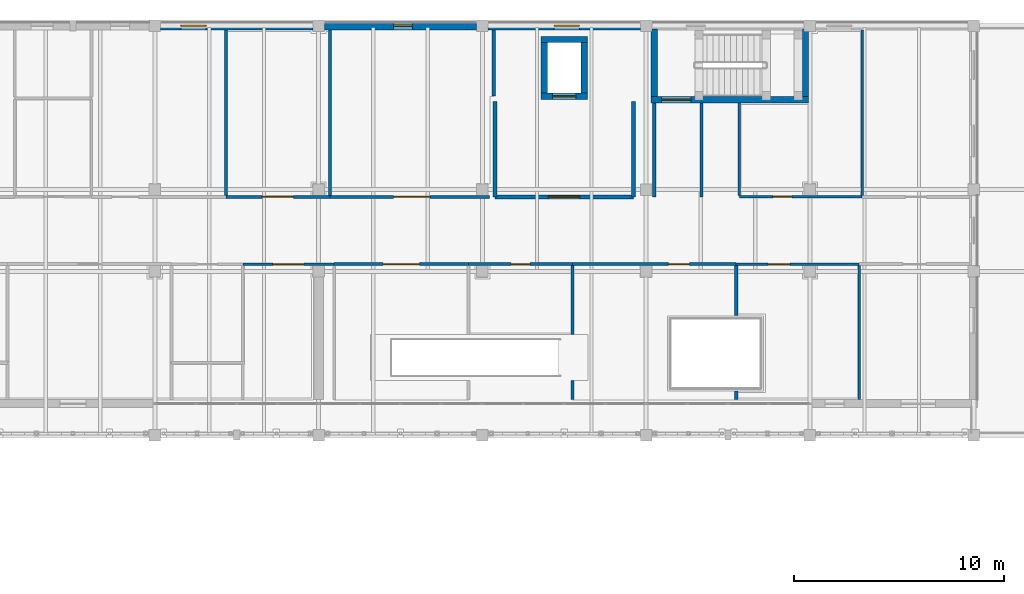
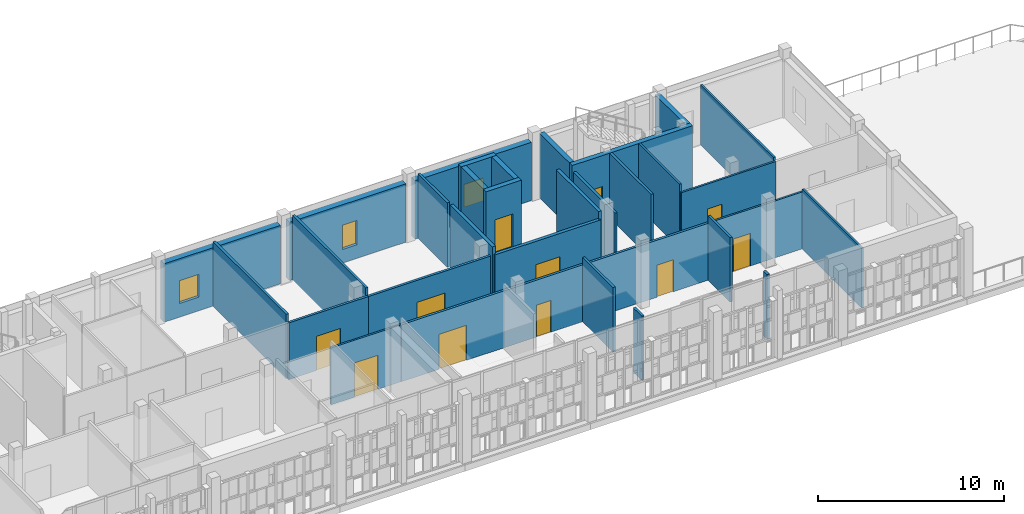
# One storey, part 99 of 119: 33 walls, 11 doors, 3 windows, 14 openings.
"""IFC4 building model written with IfcOpenShell, lengths in metres."""

from ifc_helpers import new_model, si_unit, direction, frame, frame_2d, origin, place, context, subcontext, project, spatial, rectangle, extrude, material, layer, layer_set, type_object, element, fill, save


model = new_model("IFC4")

# Units and contexts
model_context = context("Model", 3, precision=1e-05, world=origin(), true_north=direction((0.0, 1.0)))
body_context = subcontext(model_context, "Body", "Model", "MODEL_VIEW")
ifc_project = project(units=[si_unit("LENGTHUNIT", "METRE"), si_unit("AREAUNIT", "SQUARE_METRE"), si_unit("VOLUMEUNIT", "CUBIC_METRE"), si_unit("PLANEANGLEUNIT", "RADIAN"), si_unit("MASSUNIT", "GRAM", prefix="KILO")], contexts=[model_context])

# Site, building, storey
site_placement = place(None, origin())
site = spatial("IfcSite", under=ifc_project, at=site_placement, CompositionType="ELEMENT")
building_placement = place(site_placement, origin())
building = spatial("IfcBuilding", under=site, at=building_placement, Name="Celorna Specialist Clinic", CompositionType="ELEMENT")
storey_placement = place(building_placement, frame((0.0, 0.0, 9.60009765625)))
storey = spatial("IfcBuildingStorey", under=building, at=storey_placement, Name="L02", CompositionType="ELEMENT", Elevation=9.60009765625)

# Wall, opening, window
ifc_material_1 = material(Name="Terracotta masonry with insulated cavity", Category="masonry")
ifc_layer_1 = layer(ifc_material_1, 0.3798828125, Name="Terracotta masonry with insulated cavity")
ifc_layer_set_1 = layer_set([ifc_layer_1], Name="Terracotta masonry with insulated cavity")
wall_type_1 = type_object("IfcWallType", Name="WT-06", PredefinedType="STANDARD", material=ifc_layer_set_1)
wall_1_placement = place(storey_placement, frame((93.875, 116.0, 0.0), z_axis=(0.0, 0.0, 1.0), x_axis=(1.0, 0.0, 0.0)))
wall_1 = element("IfcWall", 1, at=wall_1_placement, inside=storey, type_object=wall_type_1, Name="External facade wall WT-06 #243", PredefinedType="STANDARD", context=body_context, shape_type="SweptSolid", body=[
    extrude(rectangle(XDim=7.25, YDim=0.3798828125, at=frame_2d((3.625, 0.0))), origin(), (0.0, 0.0, 1.0), 3.83984375),
])
opening_1_placement = place(wall_1_placement, frame((0.967529296875, 0.0, 0.89990234375)))
opening_1 = element("IfcOpeningElement", 2, at=opening_1_placement, cuts=wall_1, Name="Opening WN-04", PredefinedType="OPENING", context=body_context, shape_type="SweptSolid", body=[
    extrude(rectangle(XDim=1.199951171875, YDim=1.5, at=frame_2d((0.60009765625, 0.75))), frame((0.0, 0.199951171875, 0.0), z_axis=(0.0, -1.0, 0.0), x_axis=(1.0, 0.0, 0.0)), (0.0, 0.0, 1.0), 0.39990234375),
])
ifc_material_2 = material(Name="Thermally broken aluminium triple-glazed window", Category="aluminium")
window_type_1 = type_object("IfcWindowType", Name="WN-04", PartitioningType="SINGLE_PANEL", PredefinedType="WINDOW", material=ifc_material_2)
window_1_placement = place(opening_1_placement, origin())
window_1 = element("IfcWindow", 3, at=window_1_placement, inside=storey, type_object=window_type_1, Name="Facade window WN-04 #122", OverallHeight=1.5, OverallWidth=1.199951171875, PartitioningType="SINGLE_PANEL", PredefinedType="WINDOW", context=body_context, shape_type="SweptSolid", body=[
    extrude(rectangle(XDim=1.199951171875, YDim=1.5, at=frame_2d((0.60009765625, 0.75))), frame((0.0, 0.030029296875, 0.0), z_axis=(0.0, -1.0, 0.0), x_axis=(1.0, 0.0, 0.0)), (0.0, 0.0, 1.0), 0.06005859375),
])
fill(opening_1, window_1)

wall_2_placement = place(storey_placement, frame((101.675048828125, 116.0, 0.0), z_axis=(0.0, 0.0, 1.0), x_axis=(1.0, 0.0, 0.0)))
wall_2 = element("IfcWall", 4, at=wall_2_placement, inside=storey, type_object=wall_type_1, Name="External facade wall WT-06 #244", PredefinedType="STANDARD", context=body_context, shape_type="SweptSolid", body=[
    extrude(rectangle(XDim=7.25, YDim=0.3798828125, at=frame_2d((3.625, 0.0))), origin(), (0.0, 0.0, 1.0), 3.83984375),
])
opening_2_placement = place(wall_2_placement, frame((3.297607421875, 0.0, 0.89990234375)))
opening_2 = element("IfcOpeningElement", 5, at=opening_2_placement, cuts=wall_2, Name="Opening WN-01", PredefinedType="OPENING", context=body_context, shape_type="SweptSolid", body=[
    extrude(rectangle(XDim=0.89990234375, YDim=1.60009765625, at=frame_2d((0.449951171875, 0.800048828125))), frame((0.0, 0.199951171875, 0.0), z_axis=(0.0, -1.0, 0.0), x_axis=(1.0, 0.0, 0.0)), (0.0, 0.0, 1.0), 0.39990234375),
])
window_type_2 = type_object("IfcWindowType", Name="WN-01", PartitioningType="SINGLE_PANEL", PredefinedType="WINDOW", material=ifc_material_2)
window_2_placement = place(opening_2_placement, origin())
window_2 = element("IfcWindow", 6, at=window_2_placement, inside=storey, type_object=window_type_2, Name="Facade window WN-01 #123", OverallHeight=1.60009765625, OverallWidth=0.89990234375, PartitioningType="SINGLE_PANEL", PredefinedType="WINDOW", context=body_context, shape_type="SweptSolid", body=[
    extrude(rectangle(XDim=0.89990234375, YDim=1.60009765625, at=frame_2d((0.449951171875, 0.800048828125))), frame((0.0, 0.030029296875, 0.0), z_axis=(0.0, -1.0, 0.0), x_axis=(1.0, 0.0, 0.0)), (0.0, 0.0, 1.0), 0.06005859375),
])
fill(opening_2, window_2)

wall_3_placement = place(storey_placement, frame((109.47509765625, 116.0, 0.0), z_axis=(0.0, 0.0, 1.0), x_axis=(1.0, 0.0, 0.0)))
wall_3 = element("IfcWall", 7, at=wall_3_placement, inside=storey, type_object=wall_type_1, Name="External facade wall WT-06 #245", PredefinedType="STANDARD", context=body_context, shape_type="SweptSolid", body=[
    extrude(rectangle(XDim=7.25, YDim=0.3798828125, at=frame_2d((3.625, 0.0))), origin(), (0.0, 0.0, 1.0), 3.83984375),
])
opening_3_placement = place(wall_3_placement, frame((3.1474609375, 0.0, 0.89990234375)))
opening_3 = element("IfcOpeningElement", 8, at=opening_3_placement, cuts=wall_3, Name="Opening WN-04", PredefinedType="OPENING", context=body_context, shape_type="SweptSolid", body=[
    extrude(rectangle(XDim=1.199951171875, YDim=1.5, at=frame_2d((0.60009765625, 0.75))), frame((0.0, 0.199951171875, 0.0), z_axis=(0.0, -1.0, 0.0), x_axis=(1.0, 0.0, 0.0)), (0.0, 0.0, 1.0), 0.39990234375),
])
window_3_placement = place(opening_3_placement, origin())
window_3 = element("IfcWindow", 9, at=window_3_placement, inside=storey, type_object=window_type_1, Name="Facade window WN-04 #124", OverallHeight=1.5, OverallWidth=1.199951171875, PartitioningType="SINGLE_PANEL", PredefinedType="WINDOW", context=body_context, shape_type="SweptSolid", body=[
    extrude(rectangle(XDim=1.199951171875, YDim=1.5, at=frame_2d((0.60009765625, 0.75))), frame((0.0, 0.030029296875, 0.0), z_axis=(0.0, -1.0, 0.0), x_axis=(1.0, 0.0, 0.0)), (0.0, 0.0, 1.0), 0.06005859375),
])
fill(opening_3, window_3)

# Wall, opening, door
ifc_material_3 = material(Name="Concrete C35/45", Category="concrete")
ifc_layer_2 = layer(ifc_material_3, 0.300048828125, Name="Concrete C35/45")
ifc_layer_set_2 = layer_set([ifc_layer_2], Name="Concrete C35/45")
wall_type_2 = type_object("IfcWallType", Name="WT-08", PredefinedType="SHEAR", material=ifc_layer_set_2)
wall_4_placement = place(storey_placement, frame((117.239990234375, 112.469970703125, 0.0), z_axis=(0.0, 0.0, 1.0), x_axis=(1.0, 0.0, 0.0)))
wall_4 = element("IfcWall", 10, at=wall_4_placement, inside=storey, type_object=wall_type_2, Name="Stair ST-03 RC core wall L02 south", PredefinedType="SHEAR", context=body_context, shape_type="SweptSolid", body=[
    extrude(rectangle(XDim=7.5, YDim=0.300048828125, at=frame_2d((3.75, 0.0))), origin(), (0.0, 0.0, 1.0), 4.239990234375),
])
opening_4_placement = place(wall_4_placement, frame((0.5, 0.0, 0.0)))
opening_4 = element("IfcOpeningElement", 11, at=opening_4_placement, cuts=wall_4, Name="Opening DR-10", PredefinedType="OPENING", context=body_context, shape_type="SweptSolid", body=[
    extrude(rectangle(XDim=1.39990234375, YDim=2.199951171875, at=frame_2d((0.699951171875, 1.10009765625))), frame((0.0, 0.159912109375, 0.0), z_axis=(0.0, -1.0, 0.0), x_axis=(1.0, 0.0, 0.0)), (0.0, 0.0, 1.0), 0.320068359375),
])
ifc_material_4 = material(Name="Protected exit stair fire door")
door_type_1 = type_object("IfcDoorType", Name="DR-10", OperationType="NOTDEFINED", PredefinedType="DOOR", material=ifc_material_4)
door_1_placement = place(opening_4_placement, origin())
door_1 = element("IfcDoor", 12, at=door_1_placement, inside=storey, type_object=door_type_1, Name="Protected exit stair door ST-03 L02", OperationType="SINGLE_SWING_RIGHT", OverallHeight=2.199951171875, OverallWidth=1.39990234375, PredefinedType="DOOR", context=body_context, shape_type="SweptSolid", body=[
    extrude(rectangle(XDim=1.39990234375, YDim=2.199951171875, at=frame_2d((0.699951171875, 1.10009765625))), frame((0.0, 0.02490234375, 0.0), z_axis=(0.0, -1.0, 0.0), x_axis=(1.0, 0.0, 0.0)), (0.0, 0.0, 1.0), 0.050048828125),
])
fill(opening_4, door_1)

# Walls
for number, where, z_axis, x_axis, name in (
    (13, (117.389892578125, 115.85009765625, 0.0), (0.0, 0.0, 1.0), (0.0, -1.0, 0.0), "Stair ST-03 RC core wall L02 west"),
    (14, (124.590087890625, 112.6201171875, 0.0), (0.0, 0.0, 1.0), (0.0, 1.0, 0.0), "Stair ST-03 RC core wall L02 east"),
):
    element("IfcWall", number, at=place(storey_placement, frame(where, z_axis=z_axis, x_axis=x_axis)), inside=storey, type_object=wall_type_2, Name=name, PredefinedType="SHEAR", context=body_context, shape_type="SweptSolid", body=[
        extrude(rectangle(XDim=3.22998046875, YDim=0.300048828125, at=frame_2d((1.614990234375, 0.0))), origin(), (0.0, 0.0, 1.0), 4.239990234375),
    ])

# Wall, opening, door
wall_5_placement = place(storey_placement, frame((112.0, 112.64990234375, 0.0), z_axis=(0.0, 0.0, 1.0), x_axis=(1.0, 0.0, 0.0)))
wall_5 = element("IfcWall", 15, at=wall_5_placement, inside=storey, type_object=wall_type_2, Name="Lift LF-03 RC shaft wall L02", PredefinedType="SHEAR", context=body_context, shape_type="SweptSolid", body=[
    extrude(rectangle(XDim=2.199951171875, YDim=0.300048828125, at=frame_2d((1.10009765625, 0.0))), origin(), (0.0, 0.0, 1.0), 4.239990234375),
])
opening_5_placement = place(wall_5_placement, frame((0.550048828125, 0.0, 0.0)))
opening_5 = element("IfcOpeningElement", 16, at=opening_5_placement, cuts=wall_5, Name="Opening LD-01", PredefinedType="OPENING", context=body_context, shape_type="SweptSolid", body=[
    extrude(rectangle(XDim=1.10009765625, YDim=2.199951171875, at=frame_2d((0.550048828125, 1.10009765625))), frame((0.0, 0.159912109375, 0.0), z_axis=(0.0, -1.0, 0.0), x_axis=(1.0, 0.0, 0.0)), (0.0, 0.0, 1.0), 0.320068359375),
])
ifc_material_5 = material(Name="Stainless steel lift landing sliding door", Category="steel")
door_type_2 = type_object("IfcDoorType", Name="LD-01", OperationType="DOUBLE_DOOR_SLIDING", PredefinedType="DOOR", material=ifc_material_5)
door_2_placement = place(opening_5_placement, origin())
door_2 = element("IfcDoor", 17, at=door_2_placement, inside=storey, type_object=door_type_2, Name="Lift LF-03 sliding landing door L02", OperationType="DOUBLE_DOOR_SLIDING", OverallHeight=2.199951171875, OverallWidth=1.10009765625, PredefinedType="DOOR", context=body_context, shape_type="SweptSolid", body=[
    extrude(rectangle(XDim=1.10009765625, YDim=2.199951171875, at=frame_2d((0.550048828125, 1.10009765625))), frame((0.0, 0.02490234375, 0.0), z_axis=(0.0, -1.0, 0.0), x_axis=(1.0, 0.0, 0.0)), (0.0, 0.0, 1.0), 0.050048828125),
])
fill(opening_5, door_2)

# Walls
wall_6_placement = place(storey_placement, frame((114.199951171875, 115.35009765625, 0.0), z_axis=(0.0, 0.0, 1.0), x_axis=(-1.0, 0.0, 0.0)))
element("IfcWall", 18, at=wall_6_placement, inside=storey, type_object=wall_type_2, Name="Lift LF-03 RC shaft wall L02", PredefinedType="SHEAR", context=body_context, shape_type="SweptSolid", body=[
    extrude(rectangle(XDim=2.199951171875, YDim=0.300048828125, at=frame_2d((1.10009765625, 0.0))), origin(), (0.0, 0.0, 1.0), 4.239990234375),
])
for number, where, z_axis, x_axis, name in (
    (19, (112.14990234375, 115.199951171875, 0.0), (0.0, 0.0, 1.0), (0.0, -1.0, 0.0), "Lift LF-03 RC shaft wall L02"),
    (20, (114.050048828125, 112.800048828125, 0.0), (0.0, 0.0, 1.0), (0.0, 1.0, 0.0), "Lift LF-03 RC shaft wall L02"),
):
    element("IfcWall", number, at=place(storey_placement, frame(where, z_axis=z_axis, x_axis=x_axis)), inside=storey, type_object=wall_type_2, Name=name, PredefinedType="SHEAR", context=body_context, shape_type="SweptSolid", body=[
        extrude(rectangle(XDim=2.39990234375, YDim=0.300048828125, at=frame_2d((1.199951171875, 0.0))), origin(), (0.0, 0.0, 1.0), 4.239990234375),
    ])

# Wall, opening, door
ifc_layer_3 = layer(ifc_material_3, 0.199951171875, Name="Concrete C35/45")
ifc_layer_set_3 = layer_set([ifc_layer_3], Name="Concrete C35/45")
wall_type_3 = type_object("IfcWallType", Name="WT-12", PredefinedType="SOLIDWALL", material=ifc_layer_set_3)
wall_7_placement = place(storey_placement, frame((109.800048828125, 107.85009765625, 0.0), z_axis=(0.0, 0.0, 1.0), x_axis=(1.0, 0.0, 0.0)))
wall_7 = element("IfcWall", 21, at=wall_7_placement, inside=storey, type_object=wall_type_3, Name="Lift lobby wall LF-03 L02", PredefinedType="SOLIDWALL", context=body_context, shape_type="SweptSolid", body=[
    extrude(rectangle(XDim=6.599853515625, YDim=0.199951171875, at=frame_2d((3.2998046875, 0.0))), origin(), (0.0, 0.0, 1.0), 3.739990234375),
])
opening_6_placement = place(wall_7_placement, frame((2.550048828125, 0.0, 0.0)))
opening_6 = element("IfcOpeningElement", 22, at=opening_6_placement, cuts=wall_7, Name="Opening DR-11", PredefinedType="OPENING", context=body_context, shape_type="SweptSolid", body=[
    extrude(rectangle(XDim=1.5, YDim=2.199951171875, at=frame_2d((0.75, 1.10009765625))), frame((0.0, 0.10986328125, 0.0), z_axis=(0.0, -1.0, 0.0), x_axis=(1.0, 0.0, 0.0)), (0.0, 0.0, 1.0), 0.219970703125),
])
ifc_material_6 = material(Name="Firefighting lobby double fire door")
door_type_3 = type_object("IfcDoorType", Name="DR-11", OperationType="DOUBLE_DOOR_SINGLE_SWING", PredefinedType="DOOR", material=ifc_material_6)
door_3_placement = place(opening_6_placement, origin())
door_3 = element("IfcDoor", 23, at=door_3_placement, inside=storey, type_object=door_type_3, Name="Lift lobby fire door LF-03 L02", OperationType="DOUBLE_DOOR_SINGLE_SWING", OverallHeight=2.199951171875, OverallWidth=1.5, PredefinedType="DOOR", context=body_context, shape_type="SweptSolid", body=[
    extrude(rectangle(XDim=1.5, YDim=2.199951171875, at=frame_2d((0.75, 1.10009765625))), frame((0.0, 0.02490234375, 0.0), z_axis=(0.0, -1.0, 0.0), x_axis=(1.0, 0.0, 0.0)), (0.0, 0.0, 1.0), 0.050048828125),
])
fill(opening_6, door_3)

# Walls
for number, where, z_axis, x_axis, name in (
    (24, (109.800048828125, 112.39990234375, 0.0), (0.0, 0.0, 1.0), (0.0, -1.0, 0.0), "Lift lobby wall LF-03 L02"),
    (25, (116.39990234375, 107.85009765625, 0.0), (0.0, 0.0, 1.0), (0.0, 1.0, 0.0), "Lift lobby wall LF-03 L02"),
):
    element("IfcWall", number, at=place(storey_placement, frame(where, z_axis=z_axis, x_axis=x_axis)), inside=storey, type_object=wall_type_3, Name=name, PredefinedType="SOLIDWALL", context=body_context, shape_type="SweptSolid", body=[
        extrude(rectangle(XDim=4.5498046875, YDim=0.199951171875, at=frame_2d((2.27490234375, 0.0))), origin(), (0.0, 0.0, 1.0), 4.239990234375),
    ])
ifc_material_7 = material(Name="Fire-rated gypsum board partition")
ifc_layer_4 = layer(ifc_material_7, 0.14990234375, Name="Fire-rated gypsum board partition")
ifc_layer_set_4 = layer_set([ifc_layer_4], Name="Fire-rated gypsum board partition")
wall_type_4 = type_object("IfcWallType", Name="WT-14", PredefinedType="PARTITIONING", material=ifc_layer_set_4)
wall_8_placement = place(storey_placement, frame((117.389892578125, 107.85009765625, 0.0), z_axis=(0.0, 0.0, 1.0), x_axis=(0.0, 1.0, 0.0)))
element("IfcWall", 26, at=wall_8_placement, inside=storey, type_object=wall_type_4, Name="Corridor spur partition WT-14", PredefinedType="PARTITIONING", context=body_context, shape_type="SweptSolid", body=[
    extrude(rectangle(XDim=4.469970703125, YDim=0.14990234375, at=frame_2d((2.23486328125, 0.0))), origin(), (0.0, 0.0, 1.0), 3.789794921875),
])
wall_9_placement = place(storey_placement, frame((119.639892578125, 107.85009765625, 0.0), z_axis=(0.0, 0.0, 1.0), x_axis=(0.0, 1.0, 0.0)))
element("IfcWall", 27, at=wall_9_placement, inside=storey, type_object=wall_type_4, Name="Corridor spur partition WT-14", PredefinedType="PARTITIONING", context=body_context, shape_type="SweptSolid", body=[
    extrude(rectangle(XDim=4.469970703125, YDim=0.14990234375, at=frame_2d((2.23486328125, 0.0))), origin(), (0.0, 0.0, 1.0), 4.239990234375),
])

# Wall, opening, door
wall_10_placement = place(storey_placement, frame((108.5400390625, 104.64990234375, 0.0), z_axis=(0.0, 0.0, 1.0), x_axis=(-1.0, 0.0, 0.0)))
wall_10 = element("IfcWall", 28, at=wall_10_placement, inside=storey, type_object=wall_type_4, Name="Interior partition WT-14 L02-036", PredefinedType="PARTITIONING", context=body_context, shape_type="SweptSolid", body=[
    extrude(rectangle(XDim=6.400146484375, YDim=0.14990234375, at=frame_2d((3.2001953125, 0.0))), origin(), (0.0, 0.0, 1.0), 3.739990234375),
])
opening_7_placement = place(wall_10_placement, frame((2.340087890625, 0.0, 0.0)))
opening_7 = element("IfcOpeningElement", 29, at=opening_7_placement, cuts=wall_10, Name="Opening DR-24", PredefinedType="OPENING", context=body_context, shape_type="SweptSolid", body=[
    extrude(rectangle(XDim=1.719970703125, YDim=2.300048828125, at=frame_2d((0.85986328125, 1.14990234375))), frame((0.0, 0.0849609375, 0.0), z_axis=(0.0, -1.0, 0.0), x_axis=(1.0, 0.0, 0.0)), (0.0, 0.0, 1.0), 0.169921875),
])
ifc_material_8 = material(Name="Double leaf clinical waiting door")
door_type_4 = type_object("IfcDoorType", Name="DR-24", OperationType="DOUBLE_DOOR_SINGLE_SWING", PredefinedType="DOOR", material=ifc_material_8)
door_4_placement = place(opening_7_placement, origin())
door_4 = element("IfcDoor", 30, at=door_4_placement, inside=storey, type_object=door_type_4, Name="Outpatient Clinic door L02-036", OperationType="DOUBLE_DOOR_SINGLE_SWING", OverallHeight=2.300048828125, OverallWidth=1.719970703125, PredefinedType="DOOR", context=body_context, shape_type="SweptSolid", body=[
    extrude(rectangle(XDim=1.719970703125, YDim=2.300048828125, at=frame_2d((0.85986328125, 1.14990234375))), frame((0.0, 0.02490234375, 0.0), z_axis=(0.0, -1.0, 0.0), x_axis=(1.0, 0.0, 0.0)), (0.0, 0.0, 1.0), 0.050048828125),
])
fill(opening_7, door_4)

wall_11_placement = place(storey_placement, frame((113.489990234375, 104.64990234375, 0.0), z_axis=(0.0, 0.0, 1.0), x_axis=(-1.0, 0.0, 0.0)))
wall_11 = element("IfcWall", 31, at=wall_11_placement, inside=storey, type_object=wall_type_4, Name="Interior partition WT-14 L02-037", PredefinedType="PARTITIONING", context=body_context, shape_type="SweptSolid", body=[
    extrude(rectangle(XDim=4.949951171875, YDim=0.14990234375, at=frame_2d((2.47509765625, 0.0))), origin(), (0.0, 0.0, 1.0), 3.739990234375),
])
opening_8_placement = place(wall_11_placement, frame((2.02490234375, 0.0, 0.0)))
opening_8 = element("IfcOpeningElement", 32, at=opening_8_placement, cuts=wall_11, Name="Opening DR-02", PredefinedType="OPENING", context=body_context, shape_type="SweptSolid", body=[
    extrude(rectangle(XDim=0.89990234375, YDim=2.10009765625, at=frame_2d((0.449951171875, 1.050048828125))), frame((0.0, 0.0849609375, 0.0), z_axis=(0.0, -1.0, 0.0), x_axis=(1.0, 0.0, 0.0)), (0.0, 0.0, 1.0), 0.169921875),
])
ifc_material_9 = material(Name="Timber acoustic clinical door", Category="wood")
door_type_5 = type_object("IfcDoorType", Name="DR-02", OperationType="NOTDEFINED", PredefinedType="DOOR", material=ifc_material_9)
door_5_placement = place(opening_8_placement, origin())
door_5 = element("IfcDoor", 33, at=door_5_placement, inside=storey, type_object=door_type_5, Name="Consulting Room door L02-037", OperationType="SINGLE_SWING_RIGHT", OverallHeight=2.10009765625, OverallWidth=0.89990234375, PredefinedType="DOOR", context=body_context, shape_type="SweptSolid", body=[
    extrude(rectangle(XDim=0.89990234375, YDim=2.10009765625, at=frame_2d((0.449951171875, 1.050048828125))), frame((0.0, 0.02490234375, 0.0), z_axis=(0.0, -1.0, 0.0), x_axis=(1.0, 0.0, 0.0)), (0.0, 0.0, 1.0), 0.050048828125),
])
fill(opening_8, door_5)

wall_12_placement = place(storey_placement, frame((121.2900390625, 104.64990234375, 0.0), z_axis=(0.0, 0.0, 1.0), x_axis=(-1.0, 0.0, 0.0)))
wall_12 = element("IfcWall", 34, at=wall_12_placement, inside=storey, type_object=wall_type_4, Name="Interior partition WT-14 L02-038", PredefinedType="PARTITIONING", context=body_context, shape_type="SweptSolid", body=[
    extrude(rectangle(XDim=7.800048828125, YDim=0.14990234375, at=frame_2d((3.89990234375, 0.0))), origin(), (0.0, 0.0, 1.0), 3.739990234375),
])
opening_9_placement = place(wall_12_placement, frame((2.22998046875, 0.0, 0.0)))
opening_9 = element("IfcOpeningElement", 35, at=opening_9_placement, cuts=wall_12, Name="Opening DR-04", PredefinedType="OPENING", context=body_context, shape_type="SweptSolid", body=[
    extrude(rectangle(XDim=1.0, YDim=2.10009765625, at=frame_2d((0.5, 1.050048828125))), frame((0.0, 0.0849609375, 0.0), z_axis=(0.0, -1.0, 0.0), x_axis=(1.0, 0.0, 0.0)), (0.0, 0.0, 1.0), 0.169921875),
])
ifc_material_10 = material(Name="Timber consultation suite door", Category="wood")
door_type_6 = type_object("IfcDoorType", Name="DR-04", OperationType="NOTDEFINED", PredefinedType="DOOR", material=ifc_material_10)
door_6_placement = place(opening_9_placement, origin())
door_6 = element("IfcDoor", 36, at=door_6_placement, inside=storey, type_object=door_type_6, Name="Orthopaedic Plaster Treatment Room door L02-038", OperationType="SINGLE_SWING_LEFT", OverallHeight=2.10009765625, OverallWidth=1.0, PredefinedType="DOOR", context=body_context, shape_type="SweptSolid", body=[
    extrude(rectangle(XDim=1.0, YDim=2.10009765625, at=frame_2d((0.5, 1.050048828125))), frame((0.0, 0.02490234375, 0.0), z_axis=(0.0, -1.0, 0.0), x_axis=(1.0, 0.0, 0.0)), (0.0, 0.0, 1.0), 0.050048828125),
])
fill(opening_9, door_6)

wall_13_placement = place(storey_placement, frame((96.989990234375, 107.85009765625, 0.0), z_axis=(0.0, 0.0, 1.0), x_axis=(1.0, 0.0, 0.0)))
wall_13 = element("IfcWall", 37, at=wall_13_placement, inside=storey, type_object=wall_type_4, Name="Interior partition WT-14 L02-047", PredefinedType="PARTITIONING", context=body_context, shape_type="SweptSolid", body=[
    extrude(rectangle(XDim=4.949951171875, YDim=0.14990234375, at=frame_2d((2.47509765625, 0.0))), origin(), (0.0, 0.0, 1.0), 3.739990234375),
])
opening_10_placement = place(wall_13_placement, frame((1.735107421875, 0.0, 0.0)))
opening_10 = element("IfcOpeningElement", 38, at=opening_10_placement, cuts=wall_13, Name="Opening DR-23", PredefinedType="OPENING", context=body_context, shape_type="SweptSolid", body=[
    extrude(rectangle(XDim=1.47998046875, YDim=2.25, at=frame_2d((0.739990234375, 1.125))), frame((0.0, 0.0849609375, 0.0), z_axis=(0.0, -1.0, 0.0), x_axis=(1.0, 0.0, 0.0)), (0.0, 0.0, 1.0), 0.169921875),
])
ifc_material_11 = material(Name="Double leaf treatment room door")
door_type_7 = type_object("IfcDoorType", Name="DR-23", OperationType="DOUBLE_DOOR_SINGLE_SWING", PredefinedType="DOOR", material=ifc_material_11)
door_7_placement = place(opening_10_placement, origin())
door_7 = element("IfcDoor", 39, at=door_7_placement, inside=storey, type_object=door_type_7, Name="Consulting Room door L02-047", OperationType="DOUBLE_DOOR_SINGLE_SWING", OverallHeight=2.25, OverallWidth=1.47998046875, PredefinedType="DOOR", context=body_context, shape_type="SweptSolid", body=[
    extrude(rectangle(XDim=1.47998046875, YDim=2.25, at=frame_2d((0.739990234375, 1.125))), frame((0.0, 0.02490234375, 0.0), z_axis=(0.0, -1.0, 0.0), x_axis=(1.0, 0.0, 0.0)), (0.0, 0.0, 1.0), 0.050048828125),
])
fill(opening_10, door_7)

wall_14_placement = place(storey_placement, frame((101.93994140625, 107.85009765625, 0.0), z_axis=(0.0, 0.0, 1.0), x_axis=(1.0, 0.0, 0.0)))
wall_14 = element("IfcWall", 40, at=wall_14_placement, inside=storey, type_object=wall_type_4, Name="Interior partition WT-14 L02-048", PredefinedType="PARTITIONING", context=body_context, shape_type="SweptSolid", body=[
    extrude(rectangle(XDim=7.610107421875, YDim=0.14990234375, at=frame_2d((3.80517578125, 0.0))), origin(), (0.0, 0.0, 1.0), 3.739990234375),
])
opening_11_placement = place(wall_14_placement, frame((3.0400390625, 0.0, 0.0)))
opening_11 = element("IfcOpeningElement", 41, at=opening_11_placement, cuts=wall_14, Name="Opening DR-24", PredefinedType="OPENING", context=body_context, shape_type="SweptSolid", body=[
    extrude(rectangle(XDim=1.719970703125, YDim=2.300048828125, at=frame_2d((0.85986328125, 1.14990234375))), frame((0.0, 0.0849609375, 0.0), z_axis=(0.0, -1.0, 0.0), x_axis=(1.0, 0.0, 0.0)), (0.0, 0.0, 1.0), 0.169921875),
])
door_8_placement = place(opening_11_placement, origin())
door_8 = element("IfcDoor", 42, at=door_8_placement, inside=storey, type_object=door_type_4, Name="Orthopaedic Plaster Treatment Room door L02-048", OperationType="DOUBLE_DOOR_SINGLE_SWING", OverallHeight=2.300048828125, OverallWidth=1.719970703125, PredefinedType="DOOR", context=body_context, shape_type="SweptSolid", body=[
    extrude(rectangle(XDim=1.719970703125, YDim=2.300048828125, at=frame_2d((0.85986328125, 1.14990234375))), frame((0.0, 0.02490234375, 0.0), z_axis=(0.0, -1.0, 0.0), x_axis=(1.0, 0.0, 0.0)), (0.0, 0.0, 1.0), 0.050048828125),
])
fill(opening_11, door_8)

# Walls
wall_15_placement = place(storey_placement, frame((113.489990234375, 98.18994140625, 0.0), z_axis=(0.0, 0.0, 1.0), x_axis=(0.0, 1.0, 0.0)))
element("IfcWall", 43, at=wall_15_placement, inside=storey, type_object=wall_type_4, Name="Room dividing partition WT-14 L02-037", PredefinedType="PARTITIONING", context=body_context, shape_type="SweptSolid", body=[
    extrude(rectangle(XDim=0.91015625, YDim=0.14990234375, at=frame_2d((0.455078125, 0.0))), origin(), (0.0, 0.0, 1.0), 4.239990234375),
])
wall_16_placement = place(storey_placement, frame((113.489990234375, 101.300048828125, 0.0), z_axis=(0.0, 0.0, 1.0), x_axis=(0.0, 1.0, 0.0)))
element("IfcWall", 44, at=wall_16_placement, inside=storey, type_object=wall_type_4, Name="Room dividing partition WT-14 L02-037", PredefinedType="PARTITIONING", context=body_context, shape_type="SweptSolid", body=[
    extrude(rectangle(XDim=3.27490234375, YDim=0.14990234375, at=frame_2d((1.637451171875, 0.0))), origin(), (0.0, 0.0, 1.0), 4.239990234375),
])
wall_17_placement = place(storey_placement, frame((121.2900390625, 98.18994140625, 0.0), z_axis=(0.0, 0.0, 1.0), x_axis=(0.0, 1.0, 0.0)))
element("IfcWall", 45, at=wall_17_placement, inside=storey, type_object=wall_type_4, Name="Room dividing partition WT-14 L02-038", PredefinedType="PARTITIONING", context=body_context, shape_type="SweptSolid", body=[
    extrude(rectangle(XDim=0.41015625, YDim=0.14990234375, at=frame_2d((0.205078125, 0.0))), origin(), (0.0, 0.0, 1.0), 4.239990234375),
])
wall_18_placement = place(storey_placement, frame((121.2900390625, 102.199951171875, 0.0), z_axis=(0.0, 0.0, 1.0), x_axis=(0.0, 1.0, 0.0)))
element("IfcWall", 46, at=wall_18_placement, inside=storey, type_object=wall_type_4, Name="Room dividing partition WT-14 L02-038", PredefinedType="PARTITIONING", context=body_context, shape_type="SweptSolid", body=[
    extrude(rectangle(XDim=2.375, YDim=0.14990234375, at=frame_2d((1.1875, 0.0))), origin(), (0.0, 0.0, 1.0), 4.239990234375),
])
for number, where, z_axis, x_axis, name in (
    (47, (96.989990234375, 107.925048828125, 0.0), (0.0, 0.0, 1.0), (0.0, 1.0, 0.0), "Room dividing partition WT-14 L02-046"),
    (48, (101.93994140625, 107.925048828125, 0.0), (0.0, 0.0, 1.0), (0.0, 1.0, 0.0), "Room dividing partition WT-14 L02-047"),
):
    element("IfcWall", number, at=place(storey_placement, frame(where, z_axis=z_axis, x_axis=x_axis)), inside=storey, type_object=wall_type_4, Name=name, PredefinedType="PARTITIONING", context=body_context, shape_type="SweptSolid", body=[
        extrude(rectangle(XDim=7.885009765625, YDim=0.14990234375, at=frame_2d((3.9423828125, 0.0))), origin(), (0.0, 0.0, 1.0), 4.239990234375),
    ])
wall_19_placement = place(storey_placement, frame((109.739990234375, 112.64990234375, 0.0), z_axis=(0.0, 0.0, 1.0), x_axis=(0.0, 1.0, 0.0)))
element("IfcWall", 49, at=wall_19_placement, inside=storey, type_object=wall_type_4, Name="Room dividing partition WT-14 L02-048", PredefinedType="PARTITIONING", context=body_context, shape_type="SweptSolid", body=[
    extrude(rectangle(XDim=3.16015625, YDim=0.14990234375, at=frame_2d((1.580078125, 0.0))), origin(), (0.0, 0.0, 1.0), 4.239990234375),
])

# Wall, opening, door
ifc_material_12 = material(Name="Acoustic gypsum board partition")
ifc_layer_5 = layer(ifc_material_12, 0.1201171875, Name="Acoustic gypsum board partition")
ifc_layer_set_5 = layer_set([ifc_layer_5], Name="Acoustic gypsum board partition")
wall_type_5 = type_object("IfcWallType", Name="WT-15", PredefinedType="PARTITIONING", material=ifc_layer_set_5)
wall_20_placement = place(storey_placement, frame((102.139892578125, 104.64990234375, 0.0), z_axis=(0.0, 0.0, 1.0), x_axis=(-1.0, 0.0, 0.0)))
wall_20 = element("IfcWall", 50, at=wall_20_placement, inside=storey, type_object=wall_type_5, Name="Interior partition WT-15 L02-035", PredefinedType="PARTITIONING", context=body_context, shape_type="SweptSolid", body=[
    extrude(rectangle(XDim=4.349853515625, YDim=0.1201171875, at=frame_2d((2.1748046875, 0.0))), origin(), (0.0, 0.0, 1.0), 3.739990234375),
])
opening_12_placement = place(wall_20_placement, frame((1.43505859375, 0.0, 0.0)))
opening_12 = element("IfcOpeningElement", 51, at=opening_12_placement, cuts=wall_20, Name="Opening DR-23", PredefinedType="OPENING", context=body_context, shape_type="SweptSolid", body=[
    extrude(rectangle(XDim=1.47998046875, YDim=2.25, at=frame_2d((0.739990234375, 1.125))), frame((0.0, 0.070068359375, 0.0), z_axis=(0.0, -1.0, 0.0), x_axis=(1.0, 0.0, 0.0)), (0.0, 0.0, 1.0), 0.14013671875),
])
door_9_placement = place(opening_12_placement, origin())
door_9 = element("IfcDoor", 52, at=door_9_placement, inside=storey, type_object=door_type_7, Name="Rheumatology Ultrasound Exam Room door L02-035", OperationType="DOUBLE_DOOR_SINGLE_SWING", OverallHeight=2.25, OverallWidth=1.47998046875, PredefinedType="DOOR", context=body_context, shape_type="SweptSolid", body=[
    extrude(rectangle(XDim=1.47998046875, YDim=2.25, at=frame_2d((0.739990234375, 1.125))), frame((0.0, 0.02490234375, 0.0), z_axis=(0.0, -1.0, 0.0), x_axis=(1.0, 0.0, 0.0)), (0.0, 0.0, 1.0), 0.050048828125),
])
fill(opening_12, door_9)

wall_21_placement = place(storey_placement, frame((127.139892578125, 104.64990234375, 0.0), z_axis=(0.0, 0.0, 1.0), x_axis=(-1.0, 0.0, 0.0)))
wall_21 = element("IfcWall", 53, at=wall_21_placement, inside=storey, type_object=wall_type_5, Name="Interior partition WT-15 L02-039", PredefinedType="PARTITIONING", context=body_context, shape_type="SweptSolid", body=[
    extrude(rectangle(XDim=5.849853515625, YDim=0.1201171875, at=frame_2d((2.9248046875, 0.0))), origin(), (0.0, 0.0, 1.0), 3.739990234375),
])
opening_13_placement = place(wall_21_placement, frame((3.277587890625, 0.0, 0.0)))
opening_13 = element("IfcOpeningElement", 54, at=opening_13_placement, cuts=wall_21, Name="Opening DR-05", PredefinedType="OPENING", context=body_context, shape_type="SweptSolid", body=[
    extrude(rectangle(XDim=1.050048828125, YDim=2.14990234375, at=frame_2d((0.52490234375, 1.074951171875))), frame((0.0, 0.070068359375, 0.0), z_axis=(0.0, -1.0, 0.0), x_axis=(1.0, 0.0, 0.0)), (0.0, 0.0, 1.0), 0.14013671875),
])
ifc_material_13 = material(Name="Timber examination room door", Category="wood")
door_type_8 = type_object("IfcDoorType", Name="DR-05", OperationType="NOTDEFINED", PredefinedType="DOOR", material=ifc_material_13)
door_10_placement = place(opening_13_placement, origin())
door_10 = element("IfcDoor", 55, at=door_10_placement, inside=storey, type_object=door_type_8, Name="Rheumatology Ultrasound Exam Room door L02-039", OperationType="SINGLE_SWING_RIGHT", OverallHeight=2.14990234375, OverallWidth=1.050048828125, PredefinedType="DOOR", context=body_context, shape_type="SweptSolid", body=[
    extrude(rectangle(XDim=1.050048828125, YDim=2.14990234375, at=frame_2d((0.52490234375, 1.074951171875))), frame((0.0, 0.02490234375, 0.0), z_axis=(0.0, -1.0, 0.0), x_axis=(1.0, 0.0, 0.0)), (0.0, 0.0, 1.0), 0.050048828125),
])
fill(opening_13, door_10)

wall_22_placement = place(storey_placement, frame((121.43994140625, 107.85009765625, 0.0), z_axis=(0.0, 0.0, 1.0), x_axis=(1.0, 0.0, 0.0)))
wall_22 = element("IfcWall", 56, at=wall_22_placement, inside=storey, type_object=wall_type_5, Name="Interior partition WT-15 L02-049", PredefinedType="PARTITIONING", context=body_context, shape_type="SweptSolid", body=[
    extrude(rectangle(XDim=5.85009765625, YDim=0.1201171875, at=frame_2d((2.925048828125, 0.0))), origin(), (0.0, 0.0, 1.0), 3.739990234375),
])
opening_14_placement = place(wall_22_placement, frame((1.597412109375, 0.0, 0.0)))
opening_14 = element("IfcOpeningElement", 57, at=opening_14_placement, cuts=wall_22, Name="Opening DR-02", PredefinedType="OPENING", context=body_context, shape_type="SweptSolid", body=[
    extrude(rectangle(XDim=0.89990234375, YDim=2.10009765625, at=frame_2d((0.449951171875, 1.050048828125))), frame((0.0, 0.070068359375, 0.0), z_axis=(0.0, -1.0, 0.0), x_axis=(1.0, 0.0, 0.0)), (0.0, 0.0, 1.0), 0.14013671875),
])
door_11_placement = place(opening_14_placement, origin())
door_11 = element("IfcDoor", 58, at=door_11_placement, inside=storey, type_object=door_type_5, Name="Rheumatology Ultrasound Exam Room door L02-049", OperationType="SINGLE_SWING_RIGHT", OverallHeight=2.10009765625, OverallWidth=0.89990234375, PredefinedType="DOOR", context=body_context, shape_type="SweptSolid", body=[
    extrude(rectangle(XDim=0.89990234375, YDim=2.10009765625, at=frame_2d((0.449951171875, 1.050048828125))), frame((0.0, 0.02490234375, 0.0), z_axis=(0.0, -1.0, 0.0), x_axis=(1.0, 0.0, 0.0)), (0.0, 0.0, 1.0), 0.050048828125),
])
fill(opening_14, door_11)

# Walls
wall_23_placement = place(storey_placement, frame((127.139892578125, 98.18994140625, 0.0), z_axis=(0.0, 0.0, 1.0), x_axis=(0.0, 1.0, 0.0)))
element("IfcWall", 59, at=wall_23_placement, inside=storey, type_object=wall_type_5, Name="Room dividing partition WT-15 L02-039", PredefinedType="PARTITIONING", context=body_context, shape_type="SweptSolid", body=[
    extrude(rectangle(XDim=6.385009765625, YDim=0.1201171875, at=frame_2d((3.1923828125, 0.0))), origin(), (0.0, 0.0, 1.0), 3.93994140625),
])
wall_24_placement = place(storey_placement, frame((121.43994140625, 107.909912109375, 0.0), z_axis=(0.0, 0.0, 1.0), x_axis=(0.0, 1.0, 0.0)))
element("IfcWall", 60, at=wall_24_placement, inside=storey, type_object=wall_type_5, Name="Room dividing partition WT-15 L02-049", PredefinedType="PARTITIONING", context=body_context, shape_type="SweptSolid", body=[
    extrude(rectangle(XDim=4.41015625, YDim=0.1201171875, at=frame_2d((2.205078125, 0.0))), origin(), (0.0, 0.0, 1.0), 4.239990234375),
])
wall_25_placement = place(storey_placement, frame((127.2900390625, 107.925048828125, 0.0), z_axis=(0.0, 0.0, 1.0), x_axis=(0.0, 1.0, 0.0)))
element("IfcWall", 61, at=wall_25_placement, inside=storey, type_object=wall_type_5, Name="Room dividing partition WT-15 L02-049", PredefinedType="PARTITIONING", context=body_context, shape_type="SweptSolid", body=[
    extrude(rectangle(XDim=7.885009765625, YDim=0.1201171875, at=frame_2d((3.9423828125, 0.0))), origin(), (0.0, 0.0, 1.0), 3.93994140625),
])

save(model, "model.ifc")
